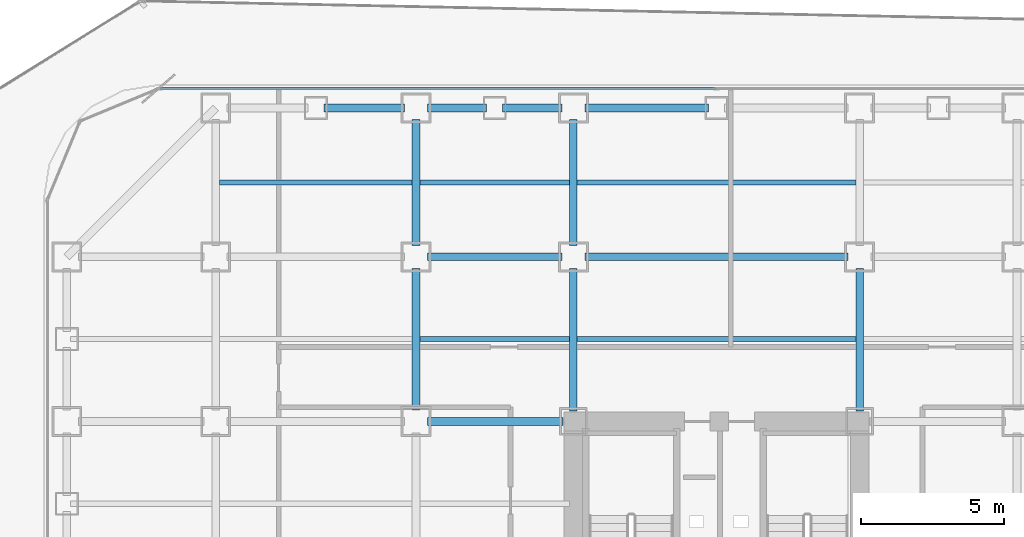
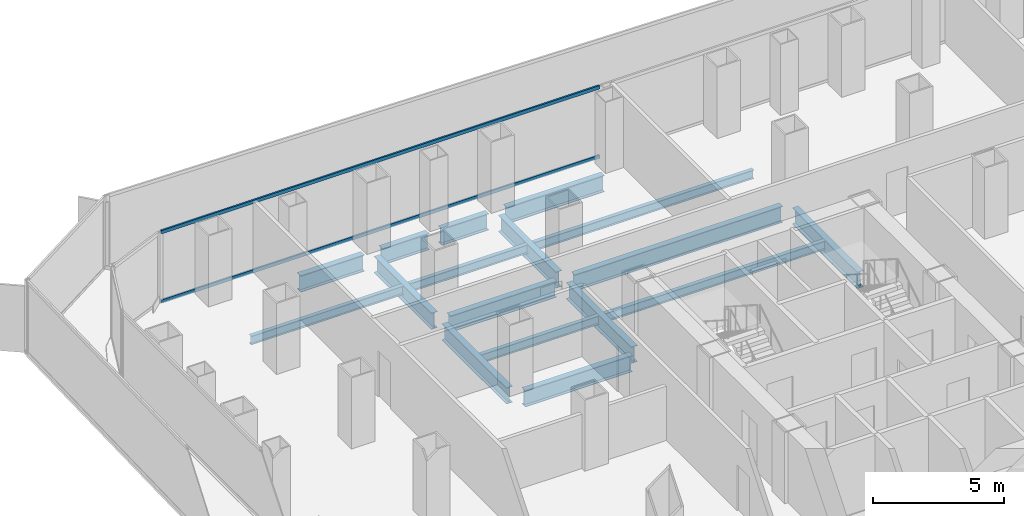
# One storey, part 12 of 21: 17 beams, 2 members, 1 element without a shape of its own.
"""IFC4 building model written with IfcOpenShell, lengths in metres."""

from ifc_helpers import new_model, si_unit, direction, frame, origin, origin_2d, place, context, subcontext, project, spatial, hollow_rectangle, i_section, extrude, source, transform, mapped, material, layer, layer_set, material_profile, profile_set, type_object, element, aggregate, save


model = new_model("IFC4")

# Units and contexts
model_context = context("Model", 3, precision=1e-05, world=origin(), true_north=direction((0.0, 1.0)))
body_context = subcontext(model_context, "Body", "Model", "MODEL_VIEW")
ifc_project = project(units=[si_unit("LENGTHUNIT", "METRE"), si_unit("AREAUNIT", "SQUARE_METRE"), si_unit("VOLUMEUNIT", "CUBIC_METRE"), si_unit("PLANEANGLEUNIT", "RADIAN"), si_unit("MASSUNIT", "GRAM", prefix="KILO")], contexts=[model_context])

# Site, building, storey
site_placement = place(None, origin())
site = spatial("IfcSite", under=ifc_project, at=site_placement, CompositionType="ELEMENT")
building_placement = place(site_placement, origin())
building = spatial("IfcBuilding", under=site, at=building_placement, Name="Kolveth Station Tower", CompositionType="ELEMENT")
storey_placement = place(building_placement, frame((0.0, 0.0, 26.10009765625)))
storey = spatial("IfcBuildingStorey", under=building, at=storey_placement, Name="L06", CompositionType="ELEMENT", Elevation=26.10009765625)

# Beams
ifc_material_1 = material(Name="Steel S355", Category="steel")
ifc_material_profile_1 = material_profile(ifc_material_1, i_section(OverallWidth=0.26904296875, OverallDepth=0.77490234375, WebThickness=0.01708984375, FlangeThickness=0.0283203125, at=origin_2d()), Name="W760x220")
ifc_profile_set_1 = profile_set([ifc_material_profile_1], Name="Steel S355")
beam_type_1 = type_object("IfcBeamType", Name="Beam_SP1", PredefinedType="SPANDREL", material=ifc_profile_set_1)
shared_shape_1 = source(origin(), body_context, "Body", "SweptSolid", [
    extrude(i_section(OverallWidth=0.26904296875, OverallDepth=0.77490234375, WebThickness=0.01708984375, FlangeThickness=0.0283203125, at=origin_2d()), origin(), (0.0, 0.0, 1.0), 2.820068359375),
])
beam_1_placement = place(storey_placement, frame((9.780029296875, 39.699951171875, -0.66748046875), z_axis=(1.0, 0.0, 0.0), x_axis=(0.0, 1.0, 0.0)))
element("IfcBeam", 1, at=beam_1_placement, inside=storey, type_object=beam_type_1, Name="L06 Perimeter Spandrel BM-L06-PN-2", PredefinedType="SPANDREL", context=body_context, shape_type="MappedRepresentation", body=[
    mapped(shared_shape_1, transform((0.0, 0.0, 0.0), x_axis=(1.0, 0.0, 0.0), y_axis=(0.0, 1.0, 0.0), z_axis=(0.0, 0.0, 1.0), scale=1.0)),
])
shared_shape_2 = source(origin(), body_context, "Body", "SweptSolid", [
    extrude(i_section(OverallWidth=0.26904296875, OverallDepth=0.77490234375, WebThickness=0.01708984375, FlangeThickness=0.0283203125, at=origin_2d()), origin(), (0.0, 0.0, 1.0), 2.070068359375),
])
for number, where, z_axis, x_axis, name in (
    (2, (13.39990234375, 39.699951171875, -0.66748046875), (1.0, 0.0, 0.0), (0.0, 1.0, 0.0), "L06 Perimeter Spandrel BM-L06-PN-3"),
    (3, (16.030029296875, 39.699951171875, -0.66748046875), (1.0, 0.0, 0.0), (0.0, 1.0, 0.0), "L06 Perimeter Spandrel BM-L06-PN-4"),
):
    element("IfcBeam", number, at=place(storey_placement, frame(where, z_axis=z_axis, x_axis=x_axis)), inside=storey, type_object=beam_type_1, Name=name, PredefinedType="SPANDREL", context=body_context, shape_type="MappedRepresentation", body=[
        mapped(shared_shape_2, transform((0.0, 0.0, 0.0), x_axis=(1.0, 0.0, 0.0), y_axis=(0.0, 1.0, 0.0), z_axis=(0.0, 0.0, 1.0), scale=1.0)),
    ])
shared_shape_3 = source(origin(), body_context, "Body", "SweptSolid", [
    extrude(i_section(OverallWidth=0.26904296875, OverallDepth=0.77490234375, WebThickness=0.01708984375, FlangeThickness=0.0283203125, at=origin_2d()), origin(), (0.0, 0.0, 1.0), 4.320068359375),
])
beam_2_placement = place(storey_placement, frame((18.89990234375, 39.699951171875, -0.66748046875), z_axis=(1.0, 0.0, 0.0), x_axis=(0.0, 1.0, 0.0)))
element("IfcBeam", 4, at=beam_2_placement, inside=storey, type_object=beam_type_1, Name="L06 Perimeter Spandrel BM-L06-PN-5", PredefinedType="SPANDREL", context=body_context, shape_type="MappedRepresentation", body=[
    mapped(shared_shape_3, transform((0.0, 0.0, 0.0), x_axis=(1.0, 0.0, 0.0), y_axis=(0.0, 1.0, 0.0), z_axis=(0.0, 0.0, 1.0), scale=1.0)),
])
ifc_material_profile_2 = material_profile(ifc_material_1, i_section(OverallWidth=0.26708984375, OverallDepth=0.76611328125, WebThickness=0.014892578125, FlangeThickness=0.023681640625, at=origin_2d()), Name="W760x185")
ifc_profile_set_2 = profile_set([ifc_material_profile_2], Name="Steel S355")
beam_type_2 = type_object("IfcBeamType", Name="Beam_B3", PredefinedType="BEAM", material=ifc_profile_set_2)
shared_shape_4 = source(origin(), body_context, "Body", "SweptSolid", [
    extrude(i_section(OverallWidth=0.26708984375, OverallDepth=0.76611328125, WebThickness=0.014892578125, FlangeThickness=0.023681640625, at=origin_2d()), origin(), (0.0, 0.0, 1.0), 4.400146484375),
])
for number, where, z_axis, x_axis, name in (
    (5, (13.0, 34.89990234375, -0.6630859375), (0.0, 1.0, 0.0), (-1.0, 0.0, 0.0), "L06 Primary Girder BM-L06-GX130-7"),
    (6, (18.5, 34.89990234375, -0.6630859375), (0.0, 1.0, 0.0), (-1.0, 0.0, 0.0), "L06 Primary Girder BM-L06-GX185-7"),
):
    element("IfcBeam", number, at=place(storey_placement, frame(where, z_axis=z_axis, x_axis=x_axis)), inside=storey, type_object=beam_type_2, Name=name, PredefinedType="BEAM", context=body_context, shape_type="MappedRepresentation", body=[
        mapped(shared_shape_4, transform((0.0, 0.0, 0.0), x_axis=(1.0, 0.0, 0.0), y_axis=(0.0, 1.0, 0.0), z_axis=(0.0, 0.0, 1.0), scale=1.0)),
    ])
shared_shape_5 = source(origin(), body_context, "Body", "SweptSolid", [
    extrude(i_section(OverallWidth=0.26708984375, OverallDepth=0.76611328125, WebThickness=0.014892578125, FlangeThickness=0.023681640625, at=origin_2d()), origin(), (0.0, 0.0, 1.0), 4.7001953125),
])
beam_3_placement = place(storey_placement, frame((13.39990234375, 34.5, -0.6630859375), z_axis=(1.0, 0.0, 0.0), x_axis=(0.0, 1.0, 0.0)))
element("IfcBeam", 7, at=beam_3_placement, inside=storey, type_object=beam_type_2, Name="L06 Primary Girder BM-L06-GY345-3", PredefinedType="BEAM", context=body_context, shape_type="MappedRepresentation", body=[
    mapped(shared_shape_5, transform((0.0, 0.0, 0.0), x_axis=(1.0, 0.0, 0.0), y_axis=(0.0, 1.0, 0.0), z_axis=(0.0, 0.0, 1.0), scale=1.0)),
])
shared_shape_6 = source(origin(), body_context, "Body", "SweptSolid", [
    extrude(i_section(OverallWidth=0.26708984375, OverallDepth=0.76611328125, WebThickness=0.014892578125, FlangeThickness=0.023681640625, at=origin_2d()), origin(), (0.0, 0.0, 1.0), 9.2001953125),
])
beam_4_placement = place(storey_placement, frame((18.89990234375, 34.5, -0.6630859375), z_axis=(1.0, 0.0, 0.0), x_axis=(0.0, 1.0, 0.0)))
element("IfcBeam", 8, at=beam_4_placement, inside=storey, type_object=beam_type_2, Name="L06 Primary Girder BM-L06-GY345-4", PredefinedType="BEAM", context=body_context, shape_type="MappedRepresentation", body=[
    mapped(shared_shape_6, transform((0.0, 0.0, 0.0), x_axis=(1.0, 0.0, 0.0), y_axis=(0.0, 1.0, 0.0), z_axis=(0.0, 0.0, 1.0), scale=1.0)),
])
shared_shape_7 = source(origin(), body_context, "Body", "SweptSolid", [
    extrude(i_section(OverallWidth=0.26708984375, OverallDepth=0.76611328125, WebThickness=0.014892578125, FlangeThickness=0.023681640625, at=origin_2d()), origin(), (0.0, 0.0, 1.0), 4.739990234375),
])
beam_5_placement = place(storey_placement, frame((13.39990234375, 28.75, -0.6630859375), z_axis=(1.0, 0.0, 0.0), x_axis=(0.0, 1.0, 0.0)))
element("IfcBeam", 9, at=beam_5_placement, inside=storey, type_object=beam_type_2, Name="L06 Primary Girder BM-L06-GY287-3", PredefinedType="BEAM", context=body_context, shape_type="MappedRepresentation", body=[
    mapped(shared_shape_7, transform((0.0, 0.0, 0.0), x_axis=(1.0, 0.0, 0.0), y_axis=(0.0, 1.0, 0.0), z_axis=(0.0, 0.0, 1.0), scale=1.0)),
])
shared_shape_8 = source(origin(), body_context, "Body", "SweptSolid", [
    extrude(i_section(OverallWidth=0.26708984375, OverallDepth=0.76611328125, WebThickness=0.014892578125, FlangeThickness=0.023681640625, at=origin_2d()), origin(), (0.0, 0.0, 1.0), 4.9501953125),
])
beam_6_placement = place(storey_placement, frame((13.0, 29.14990234375, -0.6630859375), z_axis=(0.0, 1.0, 0.0), x_axis=(-1.0, 0.0, 0.0)))
element("IfcBeam", 10, at=beam_6_placement, inside=storey, type_object=beam_type_2, Name="L06 Primary Girder BM-L06-GX130-6", PredefinedType="BEAM", context=body_context, shape_type="MappedRepresentation", body=[
    mapped(shared_shape_8, transform((0.0, 0.0, 0.0), x_axis=(1.0, 0.0, 0.0), y_axis=(0.0, 1.0, 0.0), z_axis=(0.0, 0.0, 1.0), scale=1.0)),
])
shared_shape_9 = source(origin(), body_context, "Body", "SweptSolid", [
    extrude(i_section(OverallWidth=0.26708984375, OverallDepth=0.76611328125, WebThickness=0.014892578125, FlangeThickness=0.023681640625, at=origin_2d()), origin(), (0.0, 0.0, 1.0), 4.989990234375),
])
for number, where, z_axis, x_axis, name in (
    (11, (18.5, 29.110107421875, -0.6630859375), (0.0, 1.0, 0.0), (-1.0, 0.0, 0.0), "L06 Primary Girder BM-L06-GX185-6"),
    (12, (28.5, 29.110107421875, -0.6630859375), (0.0, 1.0, 0.0), (-1.0, 0.0, 0.0), "L06 Primary Girder BM-L06-GX285-6"),
):
    element("IfcBeam", number, at=place(storey_placement, frame(where, z_axis=z_axis, x_axis=x_axis)), inside=storey, type_object=beam_type_2, Name=name, PredefinedType="BEAM", context=body_context, shape_type="MappedRepresentation", body=[
        mapped(shared_shape_9, transform((0.0, 0.0, 0.0), x_axis=(1.0, 0.0, 0.0), y_axis=(0.0, 1.0, 0.0), z_axis=(0.0, 0.0, 1.0), scale=1.0)),
    ])
ifc_material_profile_3 = material_profile(ifc_material_1, i_section(OverallWidth=0.177978515625, OverallDepth=0.406982421875, WebThickness=0.0078125, FlangeThickness=0.0126953125, at=origin_2d()), Name="W410x60")
ifc_profile_set_3 = profile_set([ifc_material_profile_3], Name="Steel S355")
beam_type_3 = type_object("IfcBeamType", Name="Beam_J1", PredefinedType="JOIST", material=ifc_profile_set_3)
shared_shape_10 = source(origin(), body_context, "Body", "SweptSolid", [
    extrude(i_section(OverallWidth=0.177978515625, OverallDepth=0.406982421875, WebThickness=0.0078125, FlangeThickness=0.0126953125, at=origin_2d()), origin(), (0.0, 0.0, 1.0), 6.73681640625),
])
beam_7_placement = place(storey_placement, frame((6.131591796875, 37.10009765625, -0.483642578125), z_axis=(1.0, 0.0, 0.0), x_axis=(0.0, 1.0, 0.0)))
element("IfcBeam", 13, at=beam_7_placement, inside=storey, type_object=beam_type_3, Name="L06 Secondary Joist JST-L06-2-7", PredefinedType="JOIST", context=body_context, shape_type="MappedRepresentation", body=[
    mapped(shared_shape_10, transform((0.0, 0.0, 0.0), x_axis=(1.0, 0.0, 0.0), y_axis=(0.0, 1.0, 0.0), z_axis=(0.0, 0.0, 1.0), scale=1.0)),
])
shared_shape_11 = source(origin(), body_context, "Body", "SweptSolid", [
    extrude(i_section(OverallWidth=0.177978515625, OverallDepth=0.406982421875, WebThickness=0.0078125, FlangeThickness=0.0126953125, at=origin_2d()), origin(), (0.0, 0.0, 1.0), 5.23681640625),
])
for number, where, z_axis, x_axis, name in (
    (14, (13.131591796875, 31.625, -0.483642578125), (1.0, 0.0, 0.0), (0.0, 1.0, 0.0), "L06 Secondary Joist JST-L06-3-6"),
    (15, (13.131591796875, 37.10009765625, -0.483642578125), (1.0, 0.0, 0.0), (0.0, 1.0, 0.0), "L06 Secondary Joist JST-L06-3-7"),
):
    element("IfcBeam", number, at=place(storey_placement, frame(where, z_axis=z_axis, x_axis=x_axis)), inside=storey, type_object=beam_type_3, Name=name, PredefinedType="JOIST", context=body_context, shape_type="MappedRepresentation", body=[
        mapped(shared_shape_11, transform((0.0, 0.0, 0.0), x_axis=(1.0, 0.0, 0.0), y_axis=(0.0, 1.0, 0.0), z_axis=(0.0, 0.0, 1.0), scale=1.0)),
    ])
shared_shape_12 = source(origin(), body_context, "Body", "SweptSolid", [
    extrude(i_section(OverallWidth=0.177978515625, OverallDepth=0.406982421875, WebThickness=0.0078125, FlangeThickness=0.0126953125, at=origin_2d()), origin(), (0.0, 0.0, 1.0), 9.73681640625),
])
for number, where, z_axis, x_axis, name in (
    (16, (18.631591796875, 31.625, -0.483642578125), (1.0, 0.0, 0.0), (0.0, 1.0, 0.0), "L06 Secondary Joist JST-L06-4-6"),
    (17, (18.631591796875, 37.10009765625, -0.483642578125), (1.0, 0.0, 0.0), (0.0, 1.0, 0.0), "L06 Secondary Joist JST-L06-4-7"),
):
    element("IfcBeam", number, at=place(storey_placement, frame(where, z_axis=z_axis, x_axis=x_axis)), inside=storey, type_object=beam_type_3, Name=name, PredefinedType="JOIST", context=body_context, shape_type="MappedRepresentation", body=[
        mapped(shared_shape_12, transform((0.0, 0.0, 0.0), x_axis=(1.0, 0.0, 0.0), y_axis=(0.0, 1.0, 0.0), z_axis=(0.0, 0.0, 1.0), scale=1.0)),
    ])

# Curtain wall, members
ifc_material_2 = material(Name="Aluminium 6063-T6 and low-E dark glass", Category="aluminium")
ifc_layer = layer(ifc_material_2, 0.179931640625)
ifc_layer_set = layer_set([ifc_layer], Name="Aluminium 6063-T6 and low-E dark glass")
curtain_wall_type = type_object("IfcCurtainWallType", Name="CurtainWall_CW-Z1", PredefinedType="NOTDEFINED", material=ifc_layer_set)
curtain_wall_placement = place(storey_placement, origin())
curtain_wall = element("IfcCurtainWall", 18, at=curtain_wall_placement, inside=storey, type_object=curtain_wall_type, Name="L06 Inner Thermal Curtain Wall 6", PredefinedType="NOTDEFINED")
ifc_material_3 = material(Name="Black anodized aluminium 6063-T6", Category="aluminium")
ifc_material_profile_4 = material_profile(ifc_material_3, hollow_rectangle(XDim=0.074951171875, YDim=0.159912109375, WallThickness=0.0048828125, at=origin_2d()), Name="ALU-75x160x5")
ifc_profile_set_4 = profile_set([ifc_material_profile_4], Name="Black anodized aluminium 6063-T6")
member_type = type_object("IfcMemberType", Name="Transom_TR1", PredefinedType="USERDEFINED", material=ifc_profile_set_4)
shared_shape_13 = source(origin(), body_context, "Body", "SweptSolid", [
    extrude(hollow_rectangle(XDim=0.074951171875, YDim=0.159912109375, WallThickness=0.0048828125, at=origin_2d()), origin(), (0.0, 0.0, 1.0), 19.387451171875),
])
member_1_placement = place(storey_placement, frame((23.46240234375, 40.3798828125, 0.037353515625), z_axis=(-1.0, 0.0, 0.0), x_axis=(0.0, -1.0, 0.0)))
member_1 = element("IfcMember", 19, at=member_1_placement, type_object=member_type, Name="CW-Z1 transom 2.1", ObjectType="TRANSOM", PredefinedType="USERDEFINED", context=body_context, shape_type="MappedRepresentation", body=[
    mapped(shared_shape_13, transform((0.0, 0.0, 0.0), x_axis=(1.0, 0.0, 0.0), y_axis=(0.0, 1.0, 0.0), z_axis=(0.0, 0.0, 1.0), scale=1.0)),
])
member_2_placement = place(storey_placement, frame((23.46240234375, 40.3798828125, 3.282470703125), z_axis=(-1.0, 0.0, 0.0), x_axis=(0.0, -1.0, 0.0)))
member_2 = element("IfcMember", 20, at=member_2_placement, type_object=member_type, Name="CW-Z1 transom 2.2", ObjectType="TRANSOM", PredefinedType="USERDEFINED", context=body_context, shape_type="MappedRepresentation", body=[
    mapped(shared_shape_13, transform((0.0, 0.0, 0.0), x_axis=(1.0, 0.0, 0.0), y_axis=(0.0, 1.0, 0.0), z_axis=(0.0, 0.0, 1.0), scale=1.0)),
])
aggregate(curtain_wall, [member_1, member_2])

save(model, "model.ifc")
